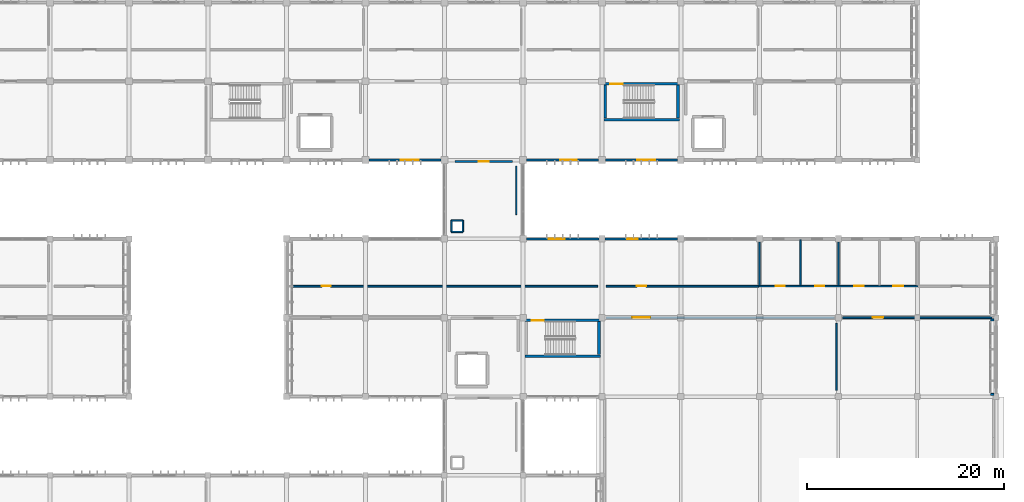
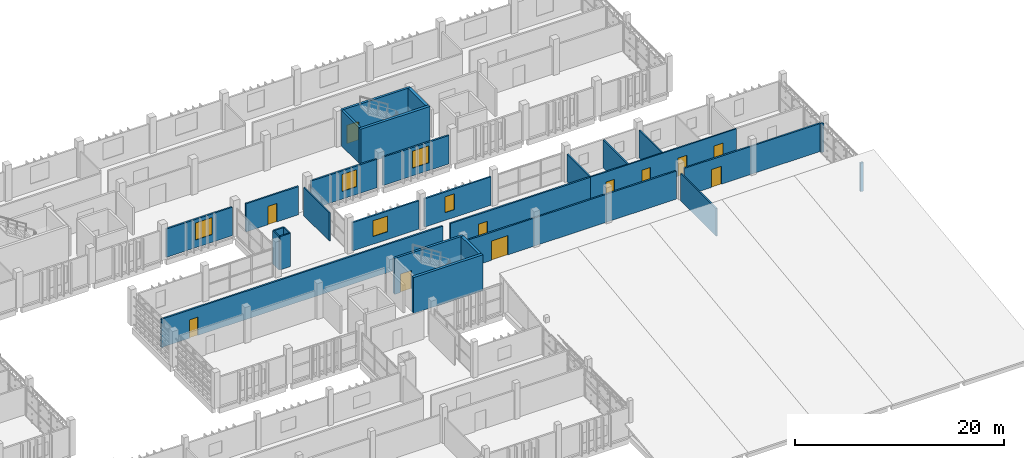
# One storey, part 72 of 83: 29 walls, 11 doors, 5 windows, 16 openings.
"""IFC4 building model written with IfcOpenShell, lengths in metres."""

from ifc_helpers import new_model, si_unit, direction, frame, frame_2d, origin, place, context, subcontext, project, spatial, rectangle, extrude, material, layer, layer_set, type_object, element, fill, save


model = new_model("IFC4")

# Units and contexts
model_context = context("Model", 3, precision=1e-05, world=origin(), true_north=direction((0.0, 1.0)))
body_context = subcontext(model_context, "Body", "Model", "MODEL_VIEW")
ifc_project = project(units=[si_unit("LENGTHUNIT", "METRE"), si_unit("AREAUNIT", "SQUARE_METRE"), si_unit("VOLUMEUNIT", "CUBIC_METRE"), si_unit("PLANEANGLEUNIT", "RADIAN"), si_unit("MASSUNIT", "GRAM", prefix="KILO")], contexts=[model_context])

# Site, building, storey
site_placement = place(None, origin())
site = spatial("IfcSite", under=ifc_project, at=site_placement, CompositionType="ELEMENT")
building_placement = place(site_placement, origin())
building = spatial("IfcBuilding", under=site, at=building_placement, Name="Jelvoka-Kovrelna Polytechnic", CompositionType="ELEMENT")
storey_placement = place(building_placement, frame((0.0, 0.0, 13.800048828125)))
storey = spatial("IfcBuildingStorey", under=building, at=storey_placement, Name="L04", CompositionType="ELEMENT", Elevation=13.800048828125)

# Wall, opening, door
ifc_material_1 = material(Name="Concrete C40/50", Category="concrete")
ifc_layer_1 = layer(ifc_material_1, 0.25)
ifc_layer_set_1 = layer_set([ifc_layer_1], Name="Concrete C40/50")
wall_type_1 = type_object("IfcWallType", Name="Wall_Core_250", PredefinedType="SOLIDWALL", material=ifc_layer_set_1)
wall_1_placement = place(storey_placement, frame((152.199951171875, 39.739990234375, 0.0), z_axis=(0.0, 0.0, 1.0), x_axis=(1.0, 0.0, 0.0)))
wall_1 = element("IfcWall", 1, at=wall_1_placement, inside=storey, type_object=wall_type_1, Name="L04 interior wall 0131", PredefinedType="SOLIDWALL", context=body_context, shape_type="SweptSolid", body=[
    extrude(rectangle(XDim=7.650146484375, YDim=0.25, at=frame_2d((3.8251953125, 0.0))), origin(), (0.0, 0.0, 1.0), 4.199951171875),
])
opening_1_placement = place(wall_1_placement, frame((0.64990234375, 0.0, 0.0)))
opening_1 = element("IfcOpeningElement", 2, at=opening_1_placement, cuts=wall_1, Name="Opening SD-L04-033", PredefinedType="OPENING", context=body_context, shape_type="SweptSolid", body=[
    extrude(rectangle(XDim=1.25, YDim=2.14990234375, at=frame_2d((0.625, 1.074951171875))), frame((0.0, 0.135009765625, 0.0), z_axis=(0.0, -1.0, 0.0), x_axis=(1.0, 0.0, 0.0)), (0.0, 0.0, 1.0), 0.27001953125),
])
ifc_material_2 = material(Name="Powder-coated steel fire door", Category="steel")
door_type_1 = type_object("IfcDoorType", Name="Door_Fire_FD02", OperationType="NOTDEFINED", PredefinedType="DOOR", material=ifc_material_2)
door_1_placement = place(opening_1_placement, origin())
door_1 = element("IfcDoor", 3, at=door_1_placement, inside=storey, type_object=door_type_1, Name="L04 interior door SD-L04-033", OperationType="SINGLE_SWING_LEFT", OverallHeight=2.14990234375, OverallWidth=1.25, PredefinedType="DOOR", context=body_context, shape_type="SweptSolid", body=[
    extrude(rectangle(XDim=1.25, YDim=2.14990234375, at=frame_2d((0.625, 1.074951171875))), frame((0.0, 0.02490234375, 0.0), z_axis=(0.0, -1.0, 0.0), x_axis=(1.0, 0.0, 0.0)), (0.0, 0.0, 1.0), 0.050048828125),
])
fill(opening_1, door_1)

wall_2_placement = place(storey_placement, frame((160.199951171875, 63.739990234375, 0.0), z_axis=(0.0, 0.0, 1.0), x_axis=(1.0, 0.0, 0.0)))
wall_2 = element("IfcWall", 4, at=wall_2_placement, inside=storey, type_object=wall_type_1, Name="L04 interior wall 0199", PredefinedType="SOLIDWALL", context=body_context, shape_type="SweptSolid", body=[
    extrude(rectangle(XDim=7.650146484375, YDim=0.25, at=frame_2d((3.8251953125, 0.0))), origin(), (0.0, 0.0, 1.0), 4.199951171875),
])
opening_2_placement = place(wall_2_placement, frame((0.64990234375, 0.0, 0.0)))
opening_2 = element("IfcOpeningElement", 5, at=opening_2_placement, cuts=wall_2, Name="Opening SD-L04-050", PredefinedType="OPENING", context=body_context, shape_type="SweptSolid", body=[
    extrude(rectangle(XDim=1.25, YDim=2.14990234375, at=frame_2d((0.625, 1.074951171875))), frame((0.0, 0.135009765625, 0.0), z_axis=(0.0, -1.0, 0.0), x_axis=(1.0, 0.0, 0.0)), (0.0, 0.0, 1.0), 0.27001953125),
])
door_2_placement = place(opening_2_placement, origin())
door_2 = element("IfcDoor", 6, at=door_2_placement, inside=storey, type_object=door_type_1, Name="L04 interior door SD-L04-050", OperationType="SINGLE_SWING_LEFT", OverallHeight=2.14990234375, OverallWidth=1.25, PredefinedType="DOOR", context=body_context, shape_type="SweptSolid", body=[
    extrude(rectangle(XDim=1.25, YDim=2.14990234375, at=frame_2d((0.625, 1.074951171875))), frame((0.0, 0.02490234375, 0.0), z_axis=(0.0, -1.0, 0.0), x_axis=(1.0, 0.0, 0.0)), (0.0, 0.0, 1.0), 0.050048828125),
])
fill(opening_2, door_2)

# Wall
wall_3_placement = place(storey_placement, frame((160.324951171875, 60.25, 0.0), z_axis=(0.0, 0.0, 1.0), x_axis=(0.0, 1.0, 0.0)))
element("IfcWall", 7, at=wall_3_placement, inside=storey, type_object=wall_type_1, Name="L04 interior wall 0200", PredefinedType="SOLIDWALL", context=body_context, shape_type="SweptSolid", body=[
    extrude(rectangle(XDim=3.360107421875, YDim=0.25, at=frame_2d((1.68017578125, 0.0))), origin(), (0.0, 0.0, 1.0), 4.199951171875),
])

# Wall, opening, door
ifc_material_3 = material(Name="Autoclaved aerated concrete blockwork", Category="masonry")
ifc_layer_2 = layer(ifc_material_3, 0.179931640625)
ifc_layer_set_2 = layer_set([ifc_layer_2], Name="Autoclaved aerated concrete blockwork")
wall_type_2 = type_object("IfcWallType", Name="Wall_Corridor_180", PredefinedType="PARTITIONING", material=ifc_layer_set_2)
wall_4_placement = place(storey_placement, frame((160.429931640625, 40.0, 0.0), z_axis=(0.0, 0.0, 1.0), x_axis=(1.0, 0.0, 0.0)))
wall_4 = element("IfcWall", 8, at=wall_4_placement, inside=storey, type_object=wall_type_2, Name="L04 interior wall 1129", PredefinedType="PARTITIONING", context=body_context, shape_type="SweptSolid", body=[
    extrude(rectangle(XDim=23.14013671875, YDim=0.179931640625, at=frame_2d((11.570068359375, 0.0))), origin(), (0.0, 0.0, 1.0), 3.27490234375),
])
opening_3_placement = place(wall_4_placement, frame((2.659912109375, 0.0, 0.0)))
opening_3 = element("IfcOpeningElement", 9, at=opening_3_placement, cuts=wall_4, Name="Opening D-L04-345", PredefinedType="OPENING", context=body_context, shape_type="SweptSolid", body=[
    extrude(rectangle(XDim=1.820068359375, YDim=2.25, at=frame_2d((0.91015625, 1.125))), frame((0.0, 0.099853515625, 0.0), z_axis=(0.0, -1.0, 0.0), x_axis=(1.0, 0.0, 0.0)), (0.0, 0.0, 1.0), 0.199951171875),
])
ifc_material_4 = material(Name="Paired hardwood fire-resisting assembly door", Category="wood")
door_type_2 = type_object("IfcDoorType", Name="Door_Fire_FD30_10", OperationType="NOTDEFINED", PredefinedType="DOOR", material=ifc_material_4)
door_3_placement = place(opening_3_placement, origin())
door_3 = element("IfcDoor", 10, at=door_3_placement, inside=storey, type_object=door_type_2, Name="L04 interior door D-L04-345", OperationType="DOUBLE_DOOR_SINGLE_SWING", OverallHeight=2.25, OverallWidth=1.820068359375, PredefinedType="DOOR", context=body_context, shape_type="SweptSolid", body=[
    extrude(rectangle(XDim=1.820068359375, YDim=2.25, at=frame_2d((0.91015625, 1.125))), frame((0.0, 0.02490234375, 0.0), z_axis=(0.0, -1.0, 0.0), x_axis=(1.0, 0.0, 0.0)), (0.0, 0.0, 1.0), 0.050048828125),
])
fill(opening_3, door_3)

wall_5_placement = place(storey_placement, frame((184.429931640625, 40.0, 0.0), z_axis=(0.0, 0.0, 1.0), x_axis=(1.0, 0.0, 0.0)))
wall_5 = element("IfcWall", 11, at=wall_5_placement, inside=storey, type_object=wall_type_2, Name="L04 interior wall 1131", PredefinedType="PARTITIONING", context=body_context, shape_type="SweptSolid", body=[
    extrude(rectangle(XDim=15.14013671875, YDim=0.179931640625, at=frame_2d((7.570068359375, 0.0))), origin(), (0.0, 0.0, 1.0), 3.27490234375),
])
opening_4_placement = place(wall_5_placement, frame((3.0400390625, 0.0, 0.0)))
opening_4 = element("IfcOpeningElement", 12, at=opening_4_placement, cuts=wall_5, Name="Opening D-L04-346", PredefinedType="OPENING", context=body_context, shape_type="SweptSolid", body=[
    extrude(rectangle(XDim=1.06005859375, YDim=2.10009765625, at=frame_2d((0.530029296875, 1.050048828125))), frame((0.0, 0.099853515625, 0.0), z_axis=(0.0, -1.0, 0.0), x_axis=(1.0, 0.0, 0.0)), (0.0, 0.0, 1.0), 0.199951171875),
])
ifc_material_5 = material(Name="Hardwood solid-core door", Category="wood")
door_type_3 = type_object("IfcDoorType", Name="Door_Int_D05", OperationType="NOTDEFINED", PredefinedType="DOOR", material=ifc_material_5)
door_4_placement = place(opening_4_placement, origin())
door_4 = element("IfcDoor", 13, at=door_4_placement, inside=storey, type_object=door_type_3, Name="L04 interior door D-L04-346", OperationType="SINGLE_SWING_RIGHT", OverallHeight=2.10009765625, OverallWidth=1.06005859375, PredefinedType="DOOR", context=body_context, shape_type="SweptSolid", body=[
    extrude(rectangle(XDim=1.06005859375, YDim=2.10009765625, at=frame_2d((0.530029296875, 1.050048828125))), frame((0.0, 0.02490234375, 0.0), z_axis=(0.0, -1.0, 0.0), x_axis=(1.0, 0.0, 0.0)), (0.0, 0.0, 1.0), 0.050048828125),
])
fill(opening_4, door_4)

wall_6_placement = place(storey_placement, frame((128.429931640625, 43.199951171875, 0.0), z_axis=(0.0, 0.0, 1.0), x_axis=(1.0, 0.0, 0.0)))
wall_6 = element("IfcWall", 14, at=wall_6_placement, inside=storey, type_object=wall_type_2, Name="L04 interior wall 1132", PredefinedType="PARTITIONING", context=body_context, shape_type="SweptSolid", body=[
    extrude(rectangle(XDim=31.14013671875, YDim=0.179931640625, at=frame_2d((15.570068359375, 0.0))), origin(), (0.0, 0.0, 1.0), 3.300048828125),
])
opening_5_placement = place(wall_6_placement, frame((3.110107421875, 0.0, 0.0)))
opening_5 = element("IfcOpeningElement", 15, at=opening_5_placement, cuts=wall_6, Name="Opening D-L04-347", PredefinedType="OPENING", context=body_context, shape_type="SweptSolid", body=[
    extrude(rectangle(XDim=0.919921875, YDim=2.14990234375, at=frame_2d((0.4599609375, 1.074951171875))), frame((0.0, 0.099853515625, 0.0), z_axis=(0.0, -1.0, 0.0), x_axis=(1.0, 0.0, 0.0)), (0.0, 0.0, 1.0), 0.199951171875),
])
ifc_material_6 = material(Name="Hardwood solid-core door", Category="wood")
door_type_4 = type_object("IfcDoorType", Name="Door_Int_D06", OperationType="NOTDEFINED", PredefinedType="DOOR", material=ifc_material_6)
door_5_placement = place(opening_5_placement, origin())
door_5 = element("IfcDoor", 16, at=door_5_placement, inside=storey, type_object=door_type_4, Name="L04 interior door D-L04-347", OperationType="SINGLE_SWING_LEFT", OverallHeight=2.14990234375, OverallWidth=0.919921875, PredefinedType="DOOR", context=body_context, shape_type="SweptSolid", body=[
    extrude(rectangle(XDim=0.919921875, YDim=2.14990234375, at=frame_2d((0.4599609375, 1.074951171875))), frame((0.0, 0.02490234375, 0.0), z_axis=(0.0, -1.0, 0.0), x_axis=(1.0, 0.0, 0.0)), (0.0, 0.0, 1.0), 0.050048828125),
])
fill(opening_5, door_5)

wall_7_placement = place(storey_placement, frame((160.429931640625, 43.199951171875, 0.0), z_axis=(0.0, 0.0, 1.0), x_axis=(1.0, 0.0, 0.0)))
wall_7 = element("IfcWall", 17, at=wall_7_placement, inside=storey, type_object=wall_type_2, Name="L04 interior wall 1133", PredefinedType="PARTITIONING", context=body_context, shape_type="SweptSolid", body=[
    extrude(rectangle(XDim=15.4951171875, YDim=0.179931640625, at=frame_2d((7.74755859375, 0.0))), origin(), (0.0, 0.0, 1.0), 3.300048828125),
])
opening_6_placement = place(wall_7_placement, frame((3.090087890625, 0.0, 0.0)))
opening_6 = element("IfcOpeningElement", 18, at=opening_6_placement, cuts=wall_7, Name="Opening D-L04-348", PredefinedType="OPENING", context=body_context, shape_type="SweptSolid", body=[
    extrude(rectangle(XDim=0.9599609375, YDim=2.14990234375, at=frame_2d((0.47998046875, 1.074951171875))), frame((0.0, 0.099853515625, 0.0), z_axis=(0.0, -1.0, 0.0), x_axis=(1.0, 0.0, 0.0)), (0.0, 0.0, 1.0), 0.199951171875),
])
ifc_material_7 = material(Name="Hardwood solid-core door", Category="wood")
door_type_5 = type_object("IfcDoorType", Name="Door_Int_D07", OperationType="NOTDEFINED", PredefinedType="DOOR", material=ifc_material_7)
door_6_placement = place(opening_6_placement, origin())
door_6 = element("IfcDoor", 19, at=door_6_placement, inside=storey, type_object=door_type_5, Name="L04 interior door D-L04-348", OperationType="SINGLE_SWING_RIGHT", OverallHeight=2.14990234375, OverallWidth=0.9599609375, PredefinedType="DOOR", context=body_context, shape_type="SweptSolid", body=[
    extrude(rectangle(XDim=0.9599609375, YDim=2.14990234375, at=frame_2d((0.47998046875, 1.074951171875))), frame((0.0, 0.02490234375, 0.0), z_axis=(0.0, -1.0, 0.0), x_axis=(1.0, 0.0, 0.0)), (0.0, 0.0, 1.0), 0.050048828125),
])
fill(opening_6, door_6)

wall_8_placement = place(storey_placement, frame((145.10009765625, 55.85009765625, 0.0), z_axis=(0.0, 0.0, 1.0), x_axis=(1.0, 0.0, 0.0)))
wall_8 = element("IfcWall", 20, at=wall_8_placement, inside=storey, type_object=wall_type_2, Name="L04 interior wall 1157", PredefinedType="PARTITIONING", context=body_context, shape_type="SweptSolid", body=[
    extrude(rectangle(XDim=5.7998046875, YDim=0.179931640625, at=frame_2d((2.89990234375, 0.0))), origin(), (0.0, 0.0, 1.0), 3.300048828125),
])
opening_7_placement = place(wall_8_placement, frame((2.39990234375, 0.0, 0.0)))
opening_7 = element("IfcOpeningElement", 21, at=opening_7_placement, cuts=wall_8, Name="Opening D-L04-364", PredefinedType="OPENING", context=body_context, shape_type="SweptSolid", body=[
    extrude(rectangle(XDim=1.0, YDim=2.14990234375, at=frame_2d((0.5, 1.074951171875))), frame((0.0, 0.099853515625, 0.0), z_axis=(0.0, -1.0, 0.0), x_axis=(1.0, 0.0, 0.0)), (0.0, 0.0, 1.0), 0.199951171875),
])
ifc_material_8 = material(Name="Hardwood acoustic seminar door", Category="wood")
door_type_6 = type_object("IfcDoorType", Name="Door_Int_D08", OperationType="NOTDEFINED", PredefinedType="DOOR", material=ifc_material_8)
door_7_placement = place(opening_7_placement, origin())
door_7 = element("IfcDoor", 22, at=door_7_placement, inside=storey, type_object=door_type_6, Name="L04 interior door D-L04-364", OperationType="SINGLE_SWING_LEFT", OverallHeight=2.14990234375, OverallWidth=1.0, PredefinedType="DOOR", context=body_context, shape_type="SweptSolid", body=[
    extrude(rectangle(XDim=1.0, YDim=2.14990234375, at=frame_2d((0.5, 1.074951171875))), frame((0.0, 0.02490234375, 0.0), z_axis=(0.0, -1.0, 0.0), x_axis=(1.0, 0.0, 0.0)), (0.0, 0.0, 1.0), 0.050048828125),
])
fill(opening_7, door_7)

# Wall, opening, window
ifc_material_9 = material(Name="Precast concrete C40/50", Category="concrete")
ifc_layer_3 = layer(ifc_material_9, 0.18505859375)
ifc_layer_set_3 = layer_set([ifc_layer_3], Name="Precast concrete C40/50")
wall_type_3 = type_object("IfcWallType", Name="Wall_Ext_White_260", PredefinedType="STANDARD", material=ifc_layer_set_3)
wall_9_placement = place(storey_placement, frame((152.322021484375, 48.0, 0.0), z_axis=(0.0, 0.0, 1.0), x_axis=(1.0, 0.0, 0.0)))
wall_9 = element("IfcWall", 23, at=wall_9_placement, inside=storey, type_object=wall_type_3, Name="L04 exterior wall 0493", PredefinedType="STANDARD", context=body_context, shape_type="SweptSolid", body=[
    extrude(rectangle(XDim=7.35595703125, YDim=0.18505859375, at=frame_2d((3.677978515625, 0.0))), origin(), (0.0, 0.0, 1.0), 3.324951171875),
])
opening_8_placement = place(wall_9_placement, frame((2.258056640625, 0.0, 0.89990234375)))
opening_8 = element("IfcOpeningElement", 24, at=opening_8_placement, cuts=wall_9, Name="Opening W-L04-198", PredefinedType="OPENING", context=body_context, shape_type="SweptSolid", body=[
    extrude(rectangle(XDim=1.64990234375, YDim=1.85009765625, at=frame_2d((0.824951171875, 0.925048828125))), frame((0.0, 0.1025390625, 0.0), z_axis=(0.0, -1.0, 0.0), x_axis=(1.0, 0.0, 0.0)), (0.0, 0.0, 1.0), 0.205078125),
])
ifc_material_10 = material(Name="Thermally broken anodised aluminium and low-e glazing", Category="aluminium")
window_type_1 = type_object("IfcWindowType", Name="Win_Casement_W44", PartitioningType="DOUBLE_PANEL_VERTICAL", PredefinedType="WINDOW", material=ifc_material_10)
window_1_placement = place(opening_8_placement, origin())
window_1 = element("IfcWindow", 25, at=window_1_placement, inside=storey, type_object=window_type_1, Name="L04 aluminium casement window W-L04-198", OverallHeight=1.85009765625, OverallWidth=1.64990234375, PartitioningType="DOUBLE_PANEL_VERTICAL", PredefinedType="WINDOW", context=body_context, shape_type="SweptSolid", body=[
    extrude(rectangle(XDim=1.64990234375, YDim=1.85009765625, at=frame_2d((0.824951171875, 0.925048828125))), frame((0.0, 0.030029296875, 0.0), z_axis=(0.0, -1.0, 0.0), x_axis=(1.0, 0.0, 0.0)), (0.0, 0.0, 1.0), 0.06005859375),
])
fill(opening_8, window_1)

wall_10_placement = place(storey_placement, frame((160.322021484375, 48.0, 0.0), z_axis=(0.0, 0.0, 1.0), x_axis=(1.0, 0.0, 0.0)))
wall_10 = element("IfcWall", 26, at=wall_10_placement, inside=storey, type_object=wall_type_3, Name="L04 exterior wall 0494", PredefinedType="STANDARD", context=body_context, shape_type="SweptSolid", body=[
    extrude(rectangle(XDim=7.35595703125, YDim=0.18505859375, at=frame_2d((3.677978515625, 0.0))), origin(), (0.0, 0.0, 1.0), 3.324951171875),
])
opening_9_placement = place(wall_10_placement, frame((2.258056640625, 0.0, 0.89990234375)))
opening_9 = element("IfcOpeningElement", 27, at=opening_9_placement, cuts=wall_10, Name="Opening W-L04-199", PredefinedType="OPENING", context=body_context, shape_type="SweptSolid", body=[
    extrude(rectangle(XDim=1.050048828125, YDim=1.85009765625, at=frame_2d((0.52490234375, 0.925048828125))), frame((0.0, 0.1025390625, 0.0), z_axis=(0.0, -1.0, 0.0), x_axis=(1.0, 0.0, 0.0)), (0.0, 0.0, 1.0), 0.205078125),
])
ifc_material_11 = material(Name="Thermally broken anodised aluminium and low-e glazing", Category="aluminium")
window_type_2 = type_object("IfcWindowType", Name="Win_Casement_W41", PartitioningType="SINGLE_PANEL", PredefinedType="WINDOW", material=ifc_material_11)
window_2_placement = place(opening_9_placement, origin())
window_2 = element("IfcWindow", 28, at=window_2_placement, inside=storey, type_object=window_type_2, Name="L04 aluminium casement window W-L04-199", OverallHeight=1.85009765625, OverallWidth=1.050048828125, PartitioningType="SINGLE_PANEL", PredefinedType="WINDOW", context=body_context, shape_type="SweptSolid", body=[
    extrude(rectangle(XDim=1.050048828125, YDim=1.85009765625, at=frame_2d((0.52490234375, 0.925048828125))), frame((0.0, 0.030029296875, 0.0), z_axis=(0.0, -1.0, 0.0), x_axis=(1.0, 0.0, 0.0)), (0.0, 0.0, 1.0), 0.06005859375),
])
fill(opening_9, window_2)

wall_11_placement = place(storey_placement, frame((143.653076171875, 56.0, 0.0), z_axis=(0.0, 0.0, 1.0), x_axis=(-1.0, 0.0, 0.0)))
wall_11 = element("IfcWall", 29, at=wall_11_placement, inside=storey, type_object=wall_type_3, Name="L04 exterior wall 0694", PredefinedType="STANDARD", context=body_context, shape_type="SweptSolid", body=[
    extrude(rectangle(XDim=7.30615234375, YDim=0.18505859375, at=frame_2d((3.653076171875, 0.0))), origin(), (0.0, 0.0, 1.0), 3.324951171875),
])
opening_10_placement = place(wall_11_placement, frame((2.23291015625, 0.0, 0.89990234375)))
opening_10 = element("IfcOpeningElement", 30, at=opening_10_placement, cuts=wall_11, Name="Opening W-L04-360", PredefinedType="OPENING", context=body_context, shape_type="SweptSolid", body=[
    extrude(rectangle(XDim=1.85009765625, YDim=2.0, at=frame_2d((0.925048828125, 1.0))), frame((0.0, 0.1025390625, 0.0), z_axis=(0.0, -1.0, 0.0), x_axis=(1.0, 0.0, 0.0)), (0.0, 0.0, 1.0), 0.205078125),
])
ifc_material_12 = material(Name="Thermally broken anodised aluminium and low-e glazing", Category="aluminium")
window_type_3 = type_object("IfcWindowType", Name="Win_Casement_W55", PartitioningType="DOUBLE_PANEL_VERTICAL", PredefinedType="WINDOW", material=ifc_material_12)
window_3_placement = place(opening_10_placement, origin())
window_3 = element("IfcWindow", 31, at=window_3_placement, inside=storey, type_object=window_type_3, Name="L04 aluminium casement window W-L04-360", OverallHeight=2.0, OverallWidth=1.85009765625, PartitioningType="DOUBLE_PANEL_VERTICAL", PredefinedType="WINDOW", context=body_context, shape_type="SweptSolid", body=[
    extrude(rectangle(XDim=1.85009765625, YDim=2.0, at=frame_2d((0.925048828125, 1.0))), frame((0.0, 0.030029296875, 0.0), z_axis=(0.0, -1.0, 0.0), x_axis=(1.0, 0.0, 0.0)), (0.0, 0.0, 1.0), 0.06005859375),
])
fill(opening_10, window_3)

wall_12_placement = place(storey_placement, frame((159.653076171875, 56.0, 0.0), z_axis=(0.0, 0.0, 1.0), x_axis=(-1.0, 0.0, 0.0)))
wall_12 = element("IfcWall", 32, at=wall_12_placement, inside=storey, type_object=wall_type_3, Name="L04 exterior wall 0697", PredefinedType="STANDARD", context=body_context, shape_type="SweptSolid", body=[
    extrude(rectangle(XDim=7.30615234375, YDim=0.18505859375, at=frame_2d((3.653076171875, 0.0))), origin(), (0.0, 0.0, 1.0), 3.324951171875),
])
opening_11_placement = place(wall_12_placement, frame((2.23291015625, 0.0, 0.89990234375)))
opening_11 = element("IfcOpeningElement", 33, at=opening_11_placement, cuts=wall_12, Name="Opening W-L04-363", PredefinedType="OPENING", context=body_context, shape_type="SweptSolid", body=[
    extrude(rectangle(XDim=1.64990234375, YDim=2.0, at=frame_2d((0.824951171875, 1.0))), frame((0.0, 0.1025390625, 0.0), z_axis=(0.0, -1.0, 0.0), x_axis=(1.0, 0.0, 0.0)), (0.0, 0.0, 1.0), 0.205078125),
])
ifc_material_13 = material(Name="Thermally broken anodised aluminium and low-e glazing", Category="aluminium")
window_type_4 = type_object("IfcWindowType", Name="Win_Casement_W54", PartitioningType="DOUBLE_PANEL_VERTICAL", PredefinedType="WINDOW", material=ifc_material_13)
window_4_placement = place(opening_11_placement, origin())
window_4 = element("IfcWindow", 34, at=window_4_placement, inside=storey, type_object=window_type_4, Name="L04 aluminium casement window W-L04-363", OverallHeight=2.0, OverallWidth=1.64990234375, PartitioningType="DOUBLE_PANEL_VERTICAL", PredefinedType="WINDOW", context=body_context, shape_type="SweptSolid", body=[
    extrude(rectangle(XDim=1.64990234375, YDim=2.0, at=frame_2d((0.824951171875, 1.0))), frame((0.0, 0.030029296875, 0.0), z_axis=(0.0, -1.0, 0.0), x_axis=(1.0, 0.0, 0.0)), (0.0, 0.0, 1.0), 0.06005859375),
])
fill(opening_11, window_4)

wall_13_placement = place(storey_placement, frame((167.653076171875, 56.0, 0.0), z_axis=(0.0, 0.0, 1.0), x_axis=(-1.0, 0.0, 0.0)))
wall_13 = element("IfcWall", 35, at=wall_13_placement, inside=storey, type_object=wall_type_3, Name="L04 exterior wall 0699", PredefinedType="STANDARD", context=body_context, shape_type="SweptSolid", body=[
    extrude(rectangle(XDim=7.30615234375, YDim=0.18505859375, at=frame_2d((3.653076171875, 0.0))), origin(), (0.0, 0.0, 1.0), 3.324951171875),
])
opening_12_placement = place(wall_13_placement, frame((2.23291015625, 0.0, 0.89990234375)))
opening_12 = element("IfcOpeningElement", 36, at=opening_12_placement, cuts=wall_13, Name="Opening W-L04-365", PredefinedType="OPENING", context=body_context, shape_type="SweptSolid", body=[
    extrude(rectangle(XDim=1.85009765625, YDim=2.0, at=frame_2d((0.925048828125, 1.0))), frame((0.0, 0.1025390625, 0.0), z_axis=(0.0, -1.0, 0.0), x_axis=(1.0, 0.0, 0.0)), (0.0, 0.0, 1.0), 0.205078125),
])
window_5_placement = place(opening_12_placement, origin())
window_5 = element("IfcWindow", 37, at=window_5_placement, inside=storey, type_object=window_type_3, Name="L04 aluminium casement window W-L04-365", OverallHeight=2.0, OverallWidth=1.85009765625, PartitioningType="DOUBLE_PANEL_VERTICAL", PredefinedType="WINDOW", context=body_context, shape_type="SweptSolid", body=[
    extrude(rectangle(XDim=1.85009765625, YDim=2.0, at=frame_2d((0.925048828125, 1.0))), frame((0.0, 0.030029296875, 0.0), z_axis=(0.0, -1.0, 0.0), x_axis=(1.0, 0.0, 0.0)), (0.0, 0.0, 1.0), 0.06005859375),
])
fill(opening_12, window_5)

# Walls
ifc_material_14 = material(Name="Precast concrete C40/50", Category="concrete")
ifc_layer_4 = layer(ifc_material_14, 0.199951171875)
ifc_layer_set_4 = layer_set([ifc_layer_4], Name="Precast concrete C40/50")
wall_type_4 = type_object("IfcWallType", Name="Wall_Parapet_200", PredefinedType="PARAPET", material=ifc_layer_set_4)
for number, where, z_axis, x_axis, name in (
    (38, (199.760009765625, 32.219970703125, 0.0), (0.0, 0.0, 1.0), (-1.0, 0.0, 0.0), "L04 exterior wall 0502"),
    (39, (199.760009765625, 39.780029296875, 0.0), (0.0, 0.0, 1.0), (-1.0, 0.0, 0.0), "L04 exterior wall 0503"),
):
    element("IfcWall", number, at=place(storey_placement, frame(where, z_axis=z_axis, x_axis=x_axis)), inside=storey, type_object=wall_type_4, Name=name, PredefinedType="PARAPET", context=body_context, shape_type="SweptSolid", body=[
        extrude(rectangle(XDim=0.320068359375, YDim=0.199951171875, at=frame_2d((0.16015625, 0.0))), origin(), (0.0, 0.0, 1.0), 3.349853515625),
    ])
ifc_material_15 = material(Name="Acoustic gypsum stud partition")
ifc_layer_5 = layer(ifc_material_15, 0.125)
ifc_layer_set_5 = layer_set([ifc_layer_5], Name="Acoustic gypsum stud partition")
wall_type_5 = type_object("IfcWallType", Name="Wall_Partition_125", PredefinedType="PARTITIONING", material=ifc_layer_set_5)
wall_14_placement = place(storey_placement, frame((151.300048828125, 50.469970703125, 0.0), z_axis=(0.0, 0.0, 1.0), x_axis=(0.0, 1.0, 0.0)))
element("IfcWall", 40, at=wall_14_placement, inside=storey, type_object=wall_type_5, Name="L04 interior wall 1158", PredefinedType="PARTITIONING", context=body_context, shape_type="SweptSolid", body=[
    extrude(rectangle(XDim=4.909912109375, YDim=0.125, at=frame_2d((2.455078125, 0.0))), origin(), (0.0, 0.0, 1.0), 3.300048828125),
])
ifc_material_16 = material(Name="Autoclaved aerated concrete blockwork", Category="masonry")
ifc_layer_6 = layer(ifc_material_16, 0.14990234375)
ifc_layer_set_6 = layer_set([ifc_layer_6], Name="Autoclaved aerated concrete blockwork")
wall_type_6 = type_object("IfcWallType", Name="Wall_Partition_150", PredefinedType="PARTITIONING", material=ifc_layer_set_6)
for number, where, z_axis, x_axis, name in (
    (41, (144.719970703125, 48.719970703125, 0.0), (0.0, 0.0, 1.0), (1.0, 0.0, 0.0), "L04 interior wall 0756"),
    (42, (145.8798828125, 48.719970703125, 0.0), (0.0, 0.0, 1.0), (0.0, 1.0, 0.0), "L04 interior wall 0757"),
    (43, (145.8798828125, 49.8798828125, 0.0), (0.0, 0.0, 1.0), (-1.0, 0.0, 0.0), "L04 interior wall 0758"),
    (44, (144.719970703125, 49.8798828125, 0.0), (0.0, 0.0, 1.0), (0.0, -1.0, 0.0), "L04 interior wall 0759"),
):
    element("IfcWall", number, at=place(storey_placement, frame(where, z_axis=z_axis, x_axis=x_axis)), inside=storey, type_object=wall_type_6, Name=name, PredefinedType="PARTITIONING", context=body_context, shape_type="SweptSolid", body=[
        extrude(rectangle(XDim=1.159912109375, YDim=0.14990234375, at=frame_2d((0.580078125, 0.0))), origin(), (0.0, 0.0, 1.0), 3.89990234375),
    ])

# Wall, openings, doors
wall_15_placement = place(storey_placement, frame((175.925048828125, 43.199951171875, 0.0), z_axis=(0.0, 0.0, 1.0), x_axis=(1.0, 0.0, 0.0)))
wall_15 = element("IfcWall", 45, at=wall_15_placement, inside=storey, type_object=wall_type_6, Name="L04 interior wall 1103", PredefinedType="PARTITIONING", context=body_context, shape_type="SweptSolid", body=[
    extrude(rectangle(XDim=16.14990234375, YDim=0.14990234375, at=frame_2d((8.074951171875, 0.0))), origin(), (0.0, 0.0, 1.0), 3.300048828125),
])
opening_13_placement = place(wall_15_placement, frame((1.715087890625, 0.0, 0.0)))
opening_13 = element("IfcOpeningElement", 46, at=opening_13_placement, cuts=wall_15, Name="Opening D-L04-325", PredefinedType="OPENING", context=body_context, shape_type="SweptSolid", body=[
    extrude(rectangle(XDim=0.919921875, YDim=2.1201171875, at=frame_2d((0.4599609375, 1.06005859375))), frame((0.0, 0.0849609375, 0.0), z_axis=(0.0, -1.0, 0.0), x_axis=(1.0, 0.0, 0.0)), (0.0, 0.0, 1.0), 0.169921875),
])
opening_14_placement = place(wall_15_placement, frame((5.695068359375, 0.0, 0.0)))
opening_14 = element("IfcOpeningElement", 47, at=opening_14_placement, cuts=wall_15, Name="Opening D-L04-326", PredefinedType="OPENING", context=body_context, shape_type="SweptSolid", body=[
    extrude(rectangle(XDim=0.919921875, YDim=2.1201171875, at=frame_2d((0.4599609375, 1.06005859375))), frame((0.0, 0.0849609375, 0.0), z_axis=(0.0, -1.0, 0.0), x_axis=(1.0, 0.0, 0.0)), (0.0, 0.0, 1.0), 0.169921875),
])
opening_15_placement = place(wall_15_placement, frame((9.6650390625, 0.0, 0.0)))
opening_15 = element("IfcOpeningElement", 48, at=opening_15_placement, cuts=wall_15, Name="Opening D-L04-327", PredefinedType="OPENING", context=body_context, shape_type="SweptSolid", body=[
    extrude(rectangle(XDim=0.97998046875, YDim=2.1201171875, at=frame_2d((0.489990234375, 1.06005859375))), frame((0.0, 0.0849609375, 0.0), z_axis=(0.0, -1.0, 0.0), x_axis=(1.0, 0.0, 0.0)), (0.0, 0.0, 1.0), 0.169921875),
])
opening_16_placement = place(wall_15_placement, frame((13.655029296875, 0.0, 0.0)))
opening_16 = element("IfcOpeningElement", 49, at=opening_16_placement, cuts=wall_15, Name="Opening D-L04-328", PredefinedType="OPENING", context=body_context, shape_type="SweptSolid", body=[
    extrude(rectangle(XDim=1.0, YDim=2.14990234375, at=frame_2d((0.5, 1.074951171875))), frame((0.0, 0.0849609375, 0.0), z_axis=(0.0, -1.0, 0.0), x_axis=(1.0, 0.0, 0.0)), (0.0, 0.0, 1.0), 0.169921875),
])
door_8_placement = place(opening_16_placement, origin())
door_8 = element("IfcDoor", 50, at=door_8_placement, inside=storey, type_object=door_type_6, Name="L04 interior door D-L04-328", OperationType="SINGLE_SWING_LEFT", OverallHeight=2.14990234375, OverallWidth=1.0, PredefinedType="DOOR", context=body_context, shape_type="SweptSolid", body=[
    extrude(rectangle(XDim=1.0, YDim=2.14990234375, at=frame_2d((0.5, 1.074951171875))), frame((0.0, 0.02490234375, 0.0), z_axis=(0.0, -1.0, 0.0), x_axis=(1.0, 0.0, 0.0)), (0.0, 0.0, 1.0), 0.050048828125),
])
fill(opening_16, door_8)
ifc_material_17 = material(Name="Moisture-resistant laminate washroom door", Category="wood")
door_type_7 = type_object("IfcDoorType", Name="Door_Int_D24", OperationType="NOTDEFINED", PredefinedType="DOOR", material=ifc_material_17)
door_9_placement = place(opening_13_placement, origin())
door_9 = element("IfcDoor", 51, at=door_9_placement, inside=storey, type_object=door_type_7, Name="L04 interior door D-L04-325", OperationType="SINGLE_SWING_RIGHT", OverallHeight=2.1201171875, OverallWidth=0.919921875, PredefinedType="DOOR", context=body_context, shape_type="SweptSolid", body=[
    extrude(rectangle(XDim=0.919921875, YDim=2.1201171875, at=frame_2d((0.4599609375, 1.06005859375))), frame((0.0, 0.02490234375, 0.0), z_axis=(0.0, -1.0, 0.0), x_axis=(1.0, 0.0, 0.0)), (0.0, 0.0, 1.0), 0.050048828125),
])
fill(opening_13, door_9)
door_10_placement = place(opening_14_placement, origin())
door_10 = element("IfcDoor", 52, at=door_10_placement, inside=storey, type_object=door_type_7, Name="L04 interior door D-L04-326", OperationType="SINGLE_SWING_LEFT", OverallHeight=2.1201171875, OverallWidth=0.919921875, PredefinedType="DOOR", context=body_context, shape_type="SweptSolid", body=[
    extrude(rectangle(XDim=0.919921875, YDim=2.1201171875, at=frame_2d((0.4599609375, 1.06005859375))), frame((0.0, 0.02490234375, 0.0), z_axis=(0.0, -1.0, 0.0), x_axis=(1.0, 0.0, 0.0)), (0.0, 0.0, 1.0), 0.050048828125),
])
fill(opening_14, door_10)
ifc_material_18 = material(Name="Accessible unisex washroom door", Category="wood")
door_type_8 = type_object("IfcDoorType", Name="Door_Int_D25", OperationType="NOTDEFINED", PredefinedType="DOOR", material=ifc_material_18)
door_11_placement = place(opening_15_placement, origin())
door_11 = element("IfcDoor", 53, at=door_11_placement, inside=storey, type_object=door_type_8, Name="L04 interior door D-L04-327", OperationType="SINGLE_SWING_RIGHT", OverallHeight=2.1201171875, OverallWidth=0.97998046875, PredefinedType="DOOR", context=body_context, shape_type="SweptSolid", body=[
    extrude(rectangle(XDim=0.97998046875, YDim=2.1201171875, at=frame_2d((0.489990234375, 1.06005859375))), frame((0.0, 0.02490234375, 0.0), z_axis=(0.0, -1.0, 0.0), x_axis=(1.0, 0.0, 0.0)), (0.0, 0.0, 1.0), 0.050048828125),
])
fill(opening_15, door_11)

# Walls
wall_16_placement = place(storey_placement, frame((176.0, 43.27490234375, 0.0), z_axis=(0.0, 0.0, 1.0), x_axis=(0.0, 1.0, 0.0)))
element("IfcWall", 54, at=wall_16_placement, inside=storey, type_object=wall_type_6, Name="L04 interior wall 1104", PredefinedType="PARTITIONING", context=body_context, shape_type="SweptSolid", body=[
    extrude(rectangle(XDim=4.400146484375, YDim=0.14990234375, at=frame_2d((2.2001953125, 0.0))), origin(), (0.0, 0.0, 1.0), 3.224853515625),
])
wall_17_placement = place(storey_placement, frame((180.14990234375, 43.27490234375, 0.0), z_axis=(0.0, 0.0, 1.0), x_axis=(0.0, 1.0, 0.0)))
element("IfcWall", 55, at=wall_17_placement, inside=storey, type_object=wall_type_6, Name="L04 interior wall 1105", PredefinedType="PARTITIONING", context=body_context, shape_type="SweptSolid", body=[
    extrude(rectangle(XDim=4.632568359375, YDim=0.14990234375, at=frame_2d((2.31640625, 0.0))), origin(), (0.0, 0.0, 1.0), 3.300048828125),
])
wall_18_placement = place(storey_placement, frame((184.0, 43.27490234375, 0.0), z_axis=(0.0, 0.0, 1.0), x_axis=(0.0, 1.0, 0.0)))
element("IfcWall", 56, at=wall_18_placement, inside=storey, type_object=wall_type_6, Name="L04 interior wall 1106", PredefinedType="PARTITIONING", context=body_context, shape_type="SweptSolid", body=[
    extrude(rectangle(XDim=4.400146484375, YDim=0.14990234375, at=frame_2d((2.2001953125, 0.0))), origin(), (0.0, 0.0, 1.0), 3.224853515625),
])
wall_19_placement = place(storey_placement, frame((183.820068359375, 32.6201171875, 0.0), z_axis=(0.0, 0.0, 1.0), x_axis=(0.0, 1.0, 0.0)))
element("IfcWall", 57, at=wall_19_placement, inside=storey, type_object=wall_type_6, Name="L04 interior wall 1130", PredefinedType="PARTITIONING", context=body_context, shape_type="SweptSolid", body=[
    extrude(rectangle(XDim=6.809814453125, YDim=0.14990234375, at=frame_2d((3.40478515625, 0.0))), origin(), (0.0, 0.0, 1.0), 3.224853515625),
])
ifc_material_19 = material(Name="Concrete C40/50", Category="concrete")
ifc_layer_7 = layer(ifc_material_19, 0.300048828125)
ifc_layer_set_7 = layer_set([ifc_layer_7], Name="Concrete C40/50")
wall_type_7 = type_object("IfcWallType", Name="Wall_Shear_300", PredefinedType="SHEAR", material=ifc_layer_set_7)
wall_20_placement = place(storey_placement, frame((152.199951171875, 36.090087890625, 0.0), z_axis=(0.0, 0.0, 1.0), x_axis=(1.0, 0.0, 0.0)))
element("IfcWall", 58, at=wall_20_placement, inside=storey, type_object=wall_type_7, Name="L04 interior wall 0129", PredefinedType="SHEAR", context=body_context, shape_type="SweptSolid", body=[
    extrude(rectangle(XDim=7.650146484375, YDim=0.300048828125, at=frame_2d((3.8251953125, 0.0))), origin(), (0.0, 0.0, 1.0), 4.199951171875),
])
wall_21_placement = place(storey_placement, frame((159.7099609375, 36.25, 0.0), z_axis=(0.0, 0.0, 1.0), x_axis=(0.0, 1.0, 0.0)))
element("IfcWall", 59, at=wall_21_placement, inside=storey, type_object=wall_type_7, Name="L04 interior wall 0130", PredefinedType="SHEAR", context=body_context, shape_type="SweptSolid", body=[
    extrude(rectangle(XDim=3.360107421875, YDim=0.300048828125, at=frame_2d((1.68017578125, 0.0))), origin(), (0.0, 0.0, 1.0), 4.199951171875),
])
wall_22_placement = place(storey_placement, frame((160.199951171875, 60.090087890625, 0.0), z_axis=(0.0, 0.0, 1.0), x_axis=(1.0, 0.0, 0.0)))
element("IfcWall", 60, at=wall_22_placement, inside=storey, type_object=wall_type_7, Name="L04 interior wall 0197", PredefinedType="SHEAR", context=body_context, shape_type="SweptSolid", body=[
    extrude(rectangle(XDim=7.650146484375, YDim=0.300048828125, at=frame_2d((3.8251953125, 0.0))), origin(), (0.0, 0.0, 1.0), 4.199951171875),
])
wall_23_placement = place(storey_placement, frame((167.7099609375, 60.25, 0.0), z_axis=(0.0, 0.0, 1.0), x_axis=(0.0, 1.0, 0.0)))
element("IfcWall", 61, at=wall_23_placement, inside=storey, type_object=wall_type_7, Name="L04 interior wall 0198", PredefinedType="SHEAR", context=body_context, shape_type="SweptSolid", body=[
    extrude(rectangle(XDim=3.360107421875, YDim=0.300048828125, at=frame_2d((1.68017578125, 0.0))), origin(), (0.0, 0.0, 1.0), 4.199951171875),
])

save(model, "model.ifc")
